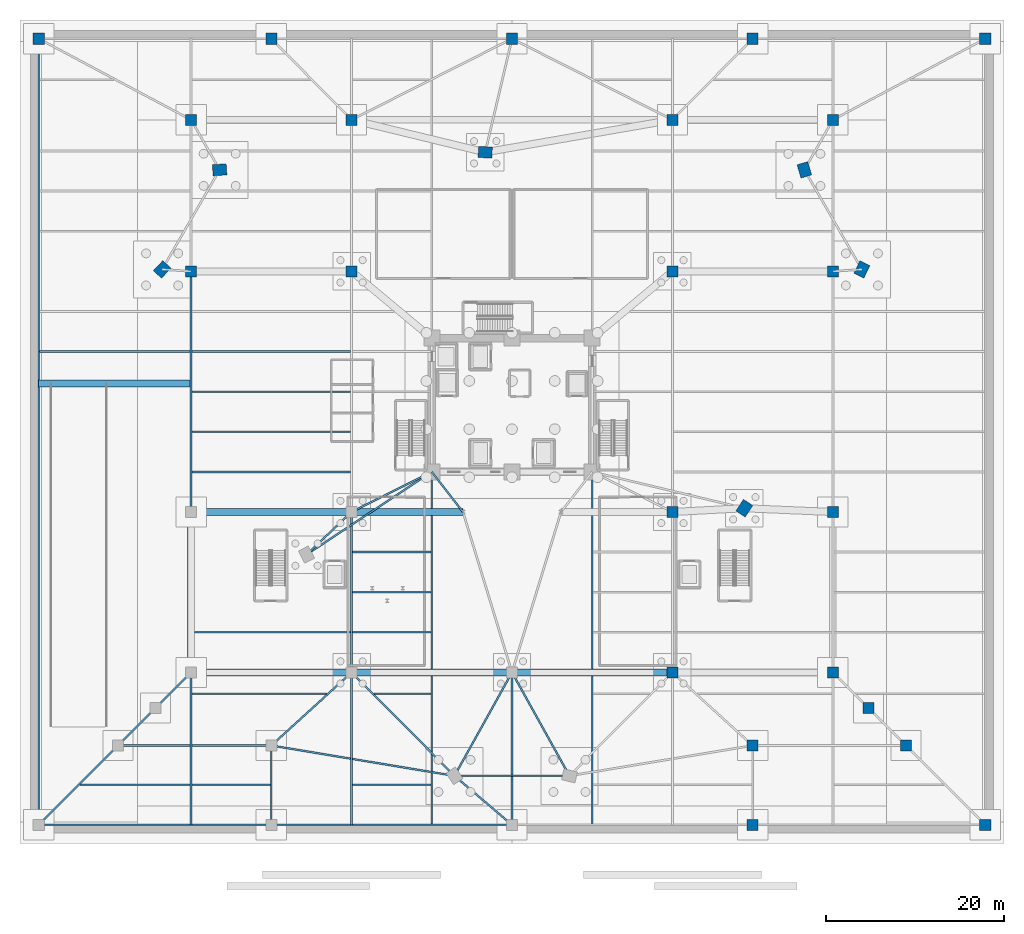
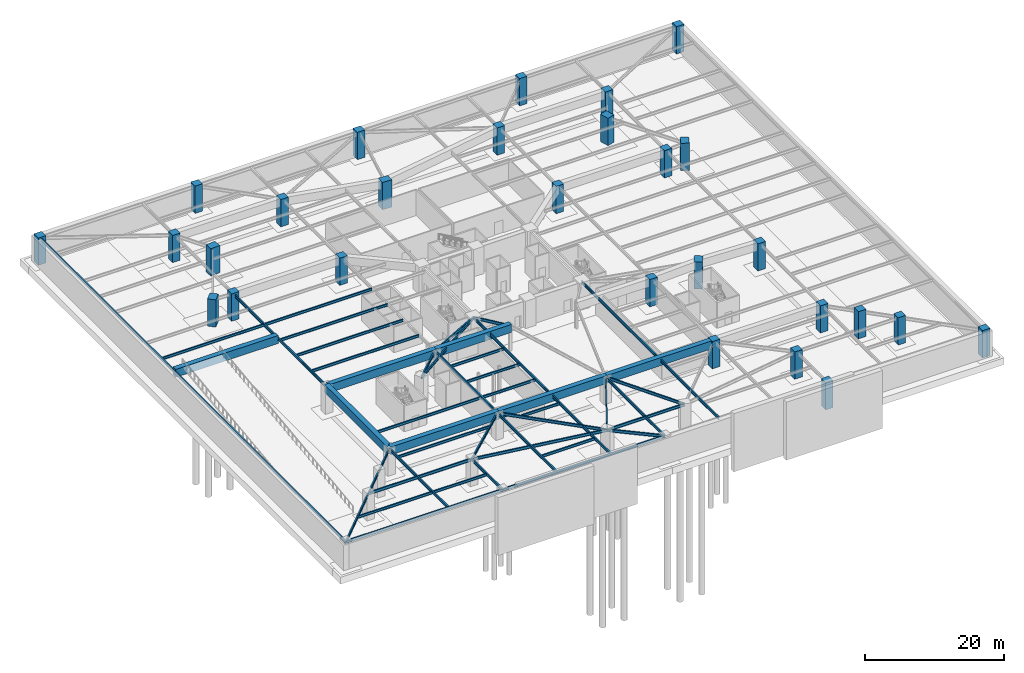
# One storey, part 4 of 19: 47 beams, 28 columns.
"""IFC4 building model written with IfcOpenShell, lengths in metres."""

from ifc_helpers import new_model, si_unit, direction, frame, origin, origin_2d, place, context, subcontext, project, spatial, rectangle, i_section, extrude, source, transform, mapped, material, material_profile, profile_set, type_object, element, save


model = new_model("IFC4")

# Units and contexts
model_context = context("Model", 3, precision=1e-05, world=origin(), true_north=direction((0.0, 1.0)))
body_context = subcontext(model_context, "Body", "Model", "MODEL_VIEW")
ifc_project = project(units=[si_unit("LENGTHUNIT", "METRE"), si_unit("AREAUNIT", "SQUARE_METRE"), si_unit("VOLUMEUNIT", "CUBIC_METRE"), si_unit("PLANEANGLEUNIT", "RADIAN"), si_unit("MASSUNIT", "GRAM", prefix="KILO")], contexts=[model_context])

# Site, building, storey
site_placement = place(None, origin())
site = spatial("IfcSite", under=ifc_project, at=site_placement, CompositionType="ELEMENT")
building_placement = place(site_placement, origin())
building = spatial("IfcBuilding", under=site, at=building_placement, Name="Liaohun Quay Tower", CompositionType="ELEMENT")
storey_placement = place(building_placement, frame((0.0, 0.0, -9.60009765625)))
storey = spatial("IfcBuildingStorey", under=building, at=storey_placement, Name="B2", CompositionType="ELEMENT", Elevation=-9.60009765625)

# Columns
ifc_material_1 = material(Name="Concrete C60", Category="concrete")
ifc_material_profile_1 = material_profile(ifc_material_1, rectangle(XDim=1.550048828125, YDim=1.25, at=origin_2d()), Name="RC1550x1250")
ifc_profile_set_1 = profile_set([ifc_material_profile_1], Name="Concrete C60")
column_type_1 = type_object("IfcColumnType", Name="COL-PIER-Z1", PredefinedType="COLUMN", material=ifc_profile_set_1)
shared_shape_1 = source(origin(), body_context, "Body", "SweptSolid", [
    extrude(rectangle(XDim=1.550048828125, YDim=1.25, at=origin_2d()), origin(), (0.0, 0.0, 1.0), 4.800048828125),
])
for number, where, z_axis, x_axis, name in (
    (1, (20.748046875, 69.217041015625, 0.0), (0.0, 0.0, 1.0), (0.68936671806, 0.724412539946, 0.0), "B2 Tower Mega-Pier PC03"),
    (2, (27.198974609375, 80.39111328125, 0.0), (0.0, 0.0, 1.0), (0.997824541457, 0.065925597951, 0.0), "B2 Tower Mega-Pier PC05"),
    (3, (92.802978515625, 80.384033203125, 0.0), (0.0, 0.0, 1.0), (-0.282676303383, 0.959215360337, 0.0), "B2 Tower Mega-Pier PC07"),
    (4, (99.256103515625, 69.2119140625, 0.0), (0.0, 0.0, 1.0), (0.441819028143, 0.897104200397, 0.0), "B2 Tower Mega-Pier PC09"),
    (5, (56.9951171875, 82.360107421875, 0.0), (0.0, 0.0, 1.0), (-0.998479491627, 0.055124448298, 0.0), "B2 Tower Mega-Pier PC06"),
    (6, (86.06396484375, 42.423095703125, 0.0), (0.0, 0.0, 1.0), (0.546978918409, 0.837146380758, 0.0), "B2 Tower Mega-Pier PC10"),
):
    element("IfcColumn", number, at=place(storey_placement, frame(where, z_axis=z_axis, x_axis=x_axis)), inside=storey, type_object=column_type_1, Name=name, PredefinedType="COLUMN", context=body_context, shape_type="MappedRepresentation", body=[
        mapped(shared_shape_1, transform((0.0, 0.0, 0.0), x_axis=(1.0, 0.0, 0.0), y_axis=(0.0, 1.0, 0.0), z_axis=(0.0, 0.0, 1.0), scale=1.0)),
    ])
ifc_material_profile_2 = material_profile(ifc_material_1, rectangle(XDim=1.25, YDim=1.25, at=origin_2d()), Name="RC1250x1250")
ifc_profile_set_2 = profile_set([ifc_material_profile_2], Name="Concrete C60")
column_type_2 = type_object("IfcColumnType", Name="COL-POD-B", PredefinedType="COLUMN", material=ifc_profile_set_2)
shared_shape_2 = source(origin(), body_context, "Body", "SweptSolid", [
    extrude(rectangle(XDim=1.25, YDim=1.25, at=origin_2d()), origin(), (0.0, 0.0, 1.0), 4.800048828125),
])
for number, where, z_axis, x_axis, name in (
    (7, (78.0, 24.0, 0.0), (0.0, 0.0, 1.0), (1.0, 0.0, 0.0), "B2 Podium Column PG04"),
    (8, (96.0, 24.0, 0.0), (0.0, 0.0, 1.0), (1.0, 0.0, 0.0), "B2 Podium Column PG05"),
    (9, (78.0, 42.0, 0.0), (0.0, 0.0, 1.0), (1.0, 0.0, 0.0), "B2 Podium Column PG08"),
    (10, (96.0, 42.0, 0.0), (0.0, 0.0, 1.0), (1.0, 0.0, 0.0), "B2 Podium Column PG09"),
    (11, (24.0, 69.0, 0.0), (0.0, 0.0, 1.0), (1.0, 0.0, 0.0), "B2 Podium Column PG10"),
    (12, (42.0, 69.0, 0.0), (0.0, 0.0, 1.0), (1.0, 0.0, 0.0), "B2 Podium Column PG11"),
    (13, (78.0, 69.0, 0.0), (0.0, 0.0, 1.0), (1.0, 0.0, 0.0), "B2 Podium Column PG12"),
    (14, (96.0, 69.0, 0.0), (0.0, 0.0, 1.0), (1.0, 0.0, 0.0), "B2 Podium Column PG13"),
    (15, (24.0, 86.0, 0.0), (0.0, 0.0, 1.0), (1.0, 0.0, 0.0), "B2 Podium Column PG14"),
    (16, (42.0, 86.0, 0.0), (0.0, 0.0, 1.0), (1.0, 0.0, 0.0), "B2 Podium Column PG15"),
    (17, (78.0, 86.0, 0.0), (0.0, 0.0, 1.0), (1.0, 0.0, 0.0), "B2 Podium Column PG17"),
    (18, (96.0, 86.0, 0.0), (0.0, 0.0, 1.0), (1.0, 0.0, 0.0), "B2 Podium Column PG18"),
    (19, (87.0, 15.800048828125, 0.0), (0.0, 0.0, 1.0), (1.0, 0.0, 0.0), "B2 Podium Column PT03"),
    (20, (104.199951171875, 15.800048828125, 0.0), (0.0, 0.0, 1.0), (1.0, 0.0, 0.0), "B2 Podium Column PT04"),
    (21, (100.0, 20.0, 0.0), (0.0, 0.0, 1.0), (1.0, 0.0, 0.0), "B2 Podium Column PT06"),
    (22, (87.0, 6.89990234375, 0.0), (0.0, 0.0, 1.0), (1.0, 0.0, 0.0), "B2 Podium Column BP04"),
    (23, (113.10009765625, 6.89990234375, 0.0), (0.0, 0.0, 1.0), (1.0, 0.0, 0.0), "B2 Podium Column BP05"),
    (24, (6.89990234375, 95.10009765625, 0.0), (0.0, 0.0, 1.0), (1.0, 0.0, 0.0), "B2 Podium Column BP06"),
    (25, (33.0, 95.10009765625, 0.0), (0.0, 0.0, 1.0), (1.0, 0.0, 0.0), "B2 Podium Column BP07"),
    (26, (60.0, 95.10009765625, 0.0), (0.0, 0.0, 1.0), (1.0, 0.0, 0.0), "B2 Podium Column BP08"),
    (27, (87.0, 95.10009765625, 0.0), (0.0, 0.0, 1.0), (1.0, 0.0, 0.0), "B2 Podium Column BP09"),
    (28, (113.10009765625, 95.10009765625, 0.0), (0.0, 0.0, 1.0), (1.0, 0.0, 0.0), "B2 Podium Column BP10"),
):
    element("IfcColumn", number, at=place(storey_placement, frame(where, z_axis=z_axis, x_axis=x_axis)), inside=storey, type_object=column_type_2, Name=name, PredefinedType="COLUMN", context=body_context, shape_type="MappedRepresentation", body=[
        mapped(shared_shape_2, transform((0.0, 0.0, 0.0), x_axis=(1.0, 0.0, 0.0), y_axis=(0.0, 1.0, 0.0), z_axis=(0.0, 0.0, 1.0), scale=1.0)),
    ])

# Beams
ifc_material_2 = material(Name="Concrete C50", Category="concrete")
ifc_material_profile_3 = material_profile(ifc_material_2, rectangle(XDim=0.800048828125, YDim=1.39990234375, at=origin_2d()), Name="RC800x1400")
ifc_profile_set_3 = profile_set([ifc_material_profile_3], Name="Concrete C50")
beam_type_1 = type_object("IfcBeamType", Name="BM-GRD-1", PredefinedType="BEAM", material=ifc_profile_set_3)
shared_shape_3 = source(origin(), body_context, "Body", "SweptSolid", [
    extrude(rectangle(XDim=0.800048828125, YDim=1.39990234375, at=origin_2d()), origin(), (0.0, 0.0, 1.0), 18.0),
])
for number, where, z_axis, x_axis, name in (
    (29, (24.0, 24.0, 4.10009765625), (1.0, 0.0, 0.0), (0.0, 1.0, 0.0), "B2 Primary Grid Girder PG01-PG02"),
    (30, (42.0, 24.0, 4.10009765625), (1.0, 0.0, 0.0), (0.0, 1.0, 0.0), "B2 Primary Grid Girder PG02-PG03"),
    (31, (60.0, 24.0, 4.10009765625), (1.0, 0.0, 0.0), (0.0, 1.0, 0.0), "B2 Primary Grid Girder PG03-PG04"),
    (32, (24.0, 42.0, 4.10009765625), (1.0, 0.0, 0.0), (0.0, 1.0, 0.0), "B2 Primary Grid Girder PG06-PG07"),
    (33, (24.0, 24.0, 4.10009765625), (0.0, 1.0, 0.0), (-1.0, 0.0, 0.0), "B2 Primary Grid Girder PG01-PG06"),
):
    element("IfcBeam", number, at=place(storey_placement, frame(where, z_axis=z_axis, x_axis=x_axis)), inside=storey, type_object=beam_type_1, Name=name, PredefinedType="BEAM", context=body_context, shape_type="MappedRepresentation", body=[
        mapped(shared_shape_3, transform((0.0, 0.0, 0.0), x_axis=(1.0, 0.0, 0.0), y_axis=(0.0, 1.0, 0.0), z_axis=(0.0, 0.0, 1.0), scale=1.0)),
    ])
shared_shape_4 = source(origin(), body_context, "Body", "SweptSolid", [
    extrude(rectangle(XDim=0.800048828125, YDim=1.39990234375, at=origin_2d()), origin(), (0.0, 0.0, 1.0), 12.5),
])
beam_1_placement = place(storey_placement, frame((42.0, 42.0, 4.10009765625), z_axis=(1.0, 0.0, 0.0), x_axis=(0.0, 1.0, 0.0)))
element("IfcBeam", 34, at=beam_1_placement, inside=storey, type_object=beam_type_1, Name="B2 Primary Grid Girder PG07-AT1", PredefinedType="BEAM", context=body_context, shape_type="MappedRepresentation", body=[
    mapped(shared_shape_4, transform((0.0, 0.0, 0.0), x_axis=(1.0, 0.0, 0.0), y_axis=(0.0, 1.0, 0.0), z_axis=(0.0, 0.0, 1.0), scale=1.0)),
])
ifc_material_3 = material(Name="Steel Q355D", Category="steel")
ifc_material_profile_4 = material_profile(ifc_material_3, i_section(OverallWidth=0.199951171875, OverallDepth=0.5, WebThickness=0.010009765625, FlangeThickness=0.01611328125, at=origin_2d()), Name="HN500x200x10x16")
ifc_profile_set_4 = profile_set([ifc_material_profile_4], Name="Steel Q355D")
beam_type_2 = type_object("IfcBeamType", Name="BM-POD-G3", PredefinedType="BEAM", material=ifc_profile_set_4)
shared_shape_5 = source(origin(), body_context, "Body", "SweptSolid", [
    extrude(i_section(OverallWidth=0.199951171875, OverallDepth=0.5, WebThickness=0.010009765625, FlangeThickness=0.01611328125, at=origin_2d()), origin(), (0.0, 0.0, 1.0), 27.0),
])
for number, where, z_axis, x_axis, name in (
    (35, (24.0, 42.0, 4.25), (0.0, 1.0, 0.0), (-1.0, 0.0, 0.0), "B2 Primary Grid Girder PG06-PG10"),
    (36, (33.0, 6.89990234375, 4.25), (1.0, 0.0, 0.0), (0.0, 1.0, 0.0), "B2 Perimeter Tie Girder BP02-BP03"),
):
    element("IfcBeam", number, at=place(storey_placement, frame(where, z_axis=z_axis, x_axis=x_axis)), inside=storey, type_object=beam_type_2, Name=name, PredefinedType="BEAM", context=body_context, shape_type="MappedRepresentation", body=[
        mapped(shared_shape_5, transform((0.0, 0.0, 0.0), x_axis=(1.0, 0.0, 0.0), y_axis=(0.0, 1.0, 0.0), z_axis=(0.0, 0.0, 1.0), scale=1.0)),
    ])
shared_shape_6 = source(origin(), body_context, "Body", "SweptSolid", [
    extrude(i_section(OverallWidth=0.199951171875, OverallDepth=0.5, WebThickness=0.010009765625, FlangeThickness=0.01611328125, at=origin_2d()), origin(), (0.0, 0.0, 1.0), 18.0),
])
beam_2_placement = place(storey_placement, frame((42.0, 24.0, 4.25), z_axis=(0.0, 1.0, 0.0), x_axis=(-1.0, 0.0, 0.0)))
element("IfcBeam", 37, at=beam_2_placement, inside=storey, type_object=beam_type_2, Name="B2 Primary Grid Girder PG02-PG07", PredefinedType="BEAM", context=body_context, shape_type="MappedRepresentation", body=[
    mapped(shared_shape_6, transform((0.0, 0.0, 0.0), x_axis=(1.0, 0.0, 0.0), y_axis=(0.0, 1.0, 0.0), z_axis=(0.0, 0.0, 1.0), scale=1.0)),
])
shared_shape_7 = source(origin(), body_context, "Body", "SweptSolid", [
    extrude(i_section(OverallWidth=0.199951171875, OverallDepth=0.5, WebThickness=0.010009765625, FlangeThickness=0.01611328125, at=origin_2d()), origin(), (0.0, 0.0, 1.0), 10.062255859375),
])
beam_3_placement = place(storey_placement, frame((42.0, 42.0, 4.25), z_axis=(0.894427191, 0.4472135955, 0.0), x_axis=(-0.4472135955, 0.894427191, 0.0)))
element("IfcBeam", 38, at=beam_3_placement, inside=storey, type_object=beam_type_2, Name="B2 Primary Grid Girder PG07-CC1", PredefinedType="BEAM", context=body_context, shape_type="MappedRepresentation", body=[
    mapped(shared_shape_7, transform((0.0, 0.0, 0.0), x_axis=(1.0, 0.0, 0.0), y_axis=(0.0, 1.0, 0.0), z_axis=(0.0, 0.0, 1.0), scale=1.0)),
])
shared_shape_8 = source(origin(), body_context, "Body", "SweptSolid", [
    extrude(i_section(OverallWidth=0.199951171875, OverallDepth=0.5, WebThickness=0.010009765625, FlangeThickness=0.01611328125, at=origin_2d()), origin(), (0.0, 0.0, 1.0), 5.700927734375),
])
beam_4_placement = place(storey_placement, frame((54.5, 42.0, 4.25), z_axis=(-0.613940613515, 0.789352217376, 0.0), x_axis=(-0.789352217376, -0.613940613515, 0.0)))
element("IfcBeam", 39, at=beam_4_placement, inside=storey, type_object=beam_type_2, Name="B2 Primary Grid Girder AT1-CC1", PredefinedType="BEAM", context=body_context, shape_type="MappedRepresentation", body=[
    mapped(shared_shape_8, transform((0.0, 0.0, 0.0), x_axis=(1.0, 0.0, 0.0), y_axis=(0.0, 1.0, 0.0), z_axis=(0.0, 0.0, 1.0), scale=1.0)),
])
shared_shape_9 = source(origin(), body_context, "Body", "SweptSolid", [
    extrude(i_section(OverallWidth=0.199951171875, OverallDepth=0.5, WebThickness=0.010009765625, FlangeThickness=0.01611328125, at=origin_2d()), origin(), (0.0, 0.0, 1.0), 16.368896484375),
])
beam_5_placement = place(storey_placement, frame((53.5458984375, 12.39697265625, 4.25), z_axis=(-0.705359574392, 0.708849681395, 0.0), x_axis=(-0.708849681395, -0.705359574392, 0.0)))
element("IfcBeam", 40, at=beam_5_placement, inside=storey, type_object=beam_type_2, Name="B2 Primary Grid Girder PC01-PG02", PredefinedType="BEAM", context=body_context, shape_type="MappedRepresentation", body=[
    mapped(shared_shape_9, transform((0.0, 0.0, 0.0), x_axis=(1.0, 0.0, 0.0), y_axis=(0.0, 1.0, 0.0), z_axis=(0.0, 0.0, 1.0), scale=1.0)),
])
shared_shape_10 = source(origin(), body_context, "Body", "SweptSolid", [
    extrude(i_section(OverallWidth=0.199951171875, OverallDepth=0.5, WebThickness=0.010009765625, FlangeThickness=0.01611328125, at=origin_2d()), origin(), (0.0, 0.0, 1.0), 13.27734375),
])
beam_6_placement = place(storey_placement, frame((53.5458984375, 12.39697265625, 4.25), z_axis=(0.486101867227, 0.87390215395, 0.0), x_axis=(-0.87390215395, 0.486101867227, 0.0)))
element("IfcBeam", 41, at=beam_6_placement, inside=storey, type_object=beam_type_2, Name="B2 Primary Grid Girder PC01-PG03", PredefinedType="BEAM", context=body_context, shape_type="MappedRepresentation", body=[
    mapped(shared_shape_10, transform((0.0, 0.0, 0.0), x_axis=(1.0, 0.0, 0.0), y_axis=(0.0, 1.0, 0.0), z_axis=(0.0, 0.0, 1.0), scale=1.0)),
])
shared_shape_11 = source(origin(), body_context, "Body", "SweptSolid", [
    extrude(i_section(OverallWidth=0.199951171875, OverallDepth=0.5, WebThickness=0.010009765625, FlangeThickness=0.01611328125, at=origin_2d()), origin(), (0.0, 0.0, 1.0), 13.272705078125),
])
beam_7_placement = place(storey_placement, frame((66.447998046875, 12.39892578125, 4.25), z_axis=(-0.485813156466, 0.874062684826, 0.0), x_axis=(-0.874062684826, -0.485813156466, 0.0)))
element("IfcBeam", 42, at=beam_7_placement, inside=storey, type_object=beam_type_2, Name="B2 Primary Grid Girder PC11-PG03", PredefinedType="BEAM", context=body_context, shape_type="MappedRepresentation", body=[
    mapped(shared_shape_11, transform((0.0, 0.0, 0.0), x_axis=(1.0, 0.0, 0.0), y_axis=(0.0, 1.0, 0.0), z_axis=(0.0, 0.0, 1.0), scale=1.0)),
])
shared_shape_12 = source(origin(), body_context, "Body", "SweptSolid", [
    extrude(i_section(OverallWidth=0.199951171875, OverallDepth=0.5, WebThickness=0.010009765625, FlangeThickness=0.01611328125, at=origin_2d()), origin(), (0.0, 0.0, 1.0), 12.902099609375),
])
beam_8_placement = place(storey_placement, frame((53.5458984375, 12.39697265625, 4.25), z_axis=(0.999999988542, 0.000151380398, 0.0), x_axis=(-0.000151380398, 0.999999988542, 0.0)))
element("IfcBeam", 43, at=beam_8_placement, inside=storey, type_object=beam_type_2, Name="B2 Primary Grid Girder PC01-PC11", PredefinedType="BEAM", context=body_context, shape_type="MappedRepresentation", body=[
    mapped(shared_shape_12, transform((0.0, 0.0, 0.0), x_axis=(1.0, 0.0, 0.0), y_axis=(0.0, 1.0, 0.0), z_axis=(0.0, 0.0, 1.0), scale=1.0)),
])
shared_shape_13 = source(origin(), body_context, "Body", "SweptSolid", [
    extrude(i_section(OverallWidth=0.199951171875, OverallDepth=0.5, WebThickness=0.010009765625, FlangeThickness=0.01611328125, at=origin_2d()), origin(), (0.0, 0.0, 1.0), 6.962158203125),
])
beam_9_placement = place(storey_placement, frame((36.94091796875, 37.217041015625, 4.25), z_axis=(0.726659067673, 0.686998252813, 0.0), x_axis=(-0.686998252813, 0.726659067673, 0.0)))
element("IfcBeam", 44, at=beam_9_placement, inside=storey, type_object=beam_type_2, Name="B2 Primary Grid Girder PC02-PG07", PredefinedType="BEAM", context=body_context, shape_type="MappedRepresentation", body=[
    mapped(shared_shape_13, transform((0.0, 0.0, 0.0), x_axis=(1.0, 0.0, 0.0), y_axis=(0.0, 1.0, 0.0), z_axis=(0.0, 0.0, 1.0), scale=1.0)),
])
shared_shape_14 = source(origin(), body_context, "Body", "SweptSolid", [
    extrude(i_section(OverallWidth=0.199951171875, OverallDepth=0.5, WebThickness=0.010009765625, FlangeThickness=0.01611328125, at=origin_2d()), origin(), (0.0, 0.0, 1.0), 16.84716796875),
])
beam_10_placement = place(storey_placement, frame((36.94091796875, 37.217041015625, 4.25), z_axis=(0.834501195619, 0.551006129285, 0.0), x_axis=(-0.551006129285, 0.834501195619, 0.0)))
element("IfcBeam", 45, at=beam_10_placement, inside=storey, type_object=beam_type_2, Name="B2 Primary Grid Girder PC02-CC1", PredefinedType="BEAM", context=body_context, shape_type="MappedRepresentation", body=[
    mapped(shared_shape_14, transform((0.0, 0.0, 0.0), x_axis=(1.0, 0.0, 0.0), y_axis=(0.0, 1.0, 0.0), z_axis=(0.0, 0.0, 1.0), scale=1.0)),
])
shared_shape_15 = source(origin(), body_context, "Body", "SweptSolid", [
    extrude(i_section(OverallWidth=0.199951171875, OverallDepth=0.5, WebThickness=0.010009765625, FlangeThickness=0.01611328125, at=origin_2d()), origin(), (0.0, 0.0, 1.0), 17.199951171875),
])
beam_11_placement = place(storey_placement, frame((15.800048828125, 15.800048828125, 4.25), z_axis=(1.0, 0.0, 0.0), x_axis=(0.0, 1.0, 0.0)))
element("IfcBeam", 46, at=beam_11_placement, inside=storey, type_object=beam_type_2, Name="B2 Perimeter Tie Girder PT01-PT02", PredefinedType="BEAM", context=body_context, shape_type="MappedRepresentation", body=[
    mapped(shared_shape_15, transform((0.0, 0.0, 0.0), x_axis=(1.0, 0.0, 0.0), y_axis=(0.0, 1.0, 0.0), z_axis=(0.0, 0.0, 1.0), scale=1.0)),
])
shared_shape_16 = source(origin(), body_context, "Body", "SweptSolid", [
    extrude(i_section(OverallWidth=0.199951171875, OverallDepth=0.5, WebThickness=0.010009765625, FlangeThickness=0.01611328125, at=origin_2d()), origin(), (0.0, 0.0, 1.0), 20.825927734375),
])
beam_12_placement = place(storey_placement, frame((33.0, 15.800048828125, 4.25), z_axis=(0.986558813697, -0.163406569991, 0.0), x_axis=(0.163406569991, 0.986558813697, 0.0)))
element("IfcBeam", 47, at=beam_12_placement, inside=storey, type_object=beam_type_2, Name="B2 Perimeter Tie Girder PT02-PC01", PredefinedType="BEAM", context=body_context, shape_type="MappedRepresentation", body=[
    mapped(shared_shape_16, transform((0.0, 0.0, 0.0), x_axis=(1.0, 0.0, 0.0), y_axis=(0.0, 1.0, 0.0), z_axis=(0.0, 0.0, 1.0), scale=1.0)),
])
shared_shape_17 = source(origin(), body_context, "Body", "SweptSolid", [
    extrude(i_section(OverallWidth=0.199951171875, OverallDepth=0.5, WebThickness=0.010009765625, FlangeThickness=0.01611328125, at=origin_2d()), origin(), (0.0, 0.0, 1.0), 5.939697265625),
])
beam_13_placement = place(storey_placement, frame((15.800048828125, 15.800048828125, 4.25), z_axis=(0.707106781187, 0.707106781187, 0.0), x_axis=(-0.707106781187, 0.707106781187, 0.0)))
element("IfcBeam", 48, at=beam_13_placement, inside=storey, type_object=beam_type_2, Name="B2 Perimeter Tie Girder PT01-PT05", PredefinedType="BEAM", context=body_context, shape_type="MappedRepresentation", body=[
    mapped(shared_shape_17, transform((0.0, 0.0, 0.0), x_axis=(1.0, 0.0, 0.0), y_axis=(0.0, 1.0, 0.0), z_axis=(0.0, 0.0, 1.0), scale=1.0)),
])
shared_shape_18 = source(origin(), body_context, "Body", "SweptSolid", [
    extrude(i_section(OverallWidth=0.199951171875, OverallDepth=0.5, WebThickness=0.010009765625, FlangeThickness=0.01611328125, at=origin_2d()), origin(), (0.0, 0.0, 1.0), 12.17529296875),
])
beam_14_placement = place(storey_placement, frame((33.0, 15.800048828125, 4.25), z_axis=(0.739198333818, 0.673487804849, 0.0), x_axis=(-0.673487804849, 0.739198333818, 0.0)))
element("IfcBeam", 49, at=beam_14_placement, inside=storey, type_object=beam_type_2, Name="B2 Perimeter Tie Girder PT02-PG02", PredefinedType="BEAM", context=body_context, shape_type="MappedRepresentation", body=[
    mapped(shared_shape_18, transform((0.0, 0.0, 0.0), x_axis=(1.0, 0.0, 0.0), y_axis=(0.0, 1.0, 0.0), z_axis=(0.0, 0.0, 1.0), scale=1.0)),
])
shared_shape_19 = source(origin(), body_context, "Body", "SweptSolid", [
    extrude(i_section(OverallWidth=0.199951171875, OverallDepth=0.5, WebThickness=0.010009765625, FlangeThickness=0.01611328125, at=origin_2d()), origin(), (0.0, 0.0, 1.0), 5.65673828125),
])
beam_15_placement = place(storey_placement, frame((20.0, 20.0, 4.25), z_axis=(0.707106781187, 0.707106781187, 0.0), x_axis=(-0.707106781187, 0.707106781187, 0.0)))
element("IfcBeam", 50, at=beam_15_placement, inside=storey, type_object=beam_type_2, Name="B2 Perimeter Tie Girder PT05-PG01", PredefinedType="BEAM", context=body_context, shape_type="MappedRepresentation", body=[
    mapped(shared_shape_19, transform((0.0, 0.0, 0.0), x_axis=(1.0, 0.0, 0.0), y_axis=(0.0, 1.0, 0.0), z_axis=(0.0, 0.0, 1.0), scale=1.0)),
])
shared_shape_20 = source(origin(), body_context, "Body", "SweptSolid", [
    extrude(i_section(OverallWidth=0.199951171875, OverallDepth=0.5, WebThickness=0.010009765625, FlangeThickness=0.01611328125, at=origin_2d()), origin(), (0.0, 0.0, 1.0), 26.10009765625),
])
beam_16_placement = place(storey_placement, frame((6.89990234375, 6.89990234375, 4.25), z_axis=(1.0, 0.0, 0.0), x_axis=(0.0, 1.0, 0.0)))
element("IfcBeam", 51, at=beam_16_placement, inside=storey, type_object=beam_type_2, Name="B2 Perimeter Tie Girder BP01-BP02", PredefinedType="BEAM", context=body_context, shape_type="MappedRepresentation", body=[
    mapped(shared_shape_20, transform((0.0, 0.0, 0.0), x_axis=(1.0, 0.0, 0.0), y_axis=(0.0, 1.0, 0.0), z_axis=(0.0, 0.0, 1.0), scale=1.0)),
])
shared_shape_21 = source(origin(), body_context, "Body", "SweptSolid", [
    extrude(i_section(OverallWidth=0.199951171875, OverallDepth=0.5, WebThickness=0.010009765625, FlangeThickness=0.01611328125, at=origin_2d()), origin(), (0.0, 0.0, 1.0), 88.2001953125),
])
beam_17_placement = place(storey_placement, frame((6.89990234375, 6.89990234375, 4.25), z_axis=(0.0, 1.0, 0.0), x_axis=(-1.0, 0.0, 0.0)))
element("IfcBeam", 52, at=beam_17_placement, inside=storey, type_object=beam_type_2, Name="B2 Perimeter Tie Girder BP01-BP06", PredefinedType="BEAM", context=body_context, shape_type="MappedRepresentation", body=[
    mapped(shared_shape_21, transform((0.0, 0.0, 0.0), x_axis=(1.0, 0.0, 0.0), y_axis=(0.0, 1.0, 0.0), z_axis=(0.0, 0.0, 1.0), scale=1.0)),
])
shared_shape_22 = source(origin(), body_context, "Body", "SweptSolid", [
    extrude(i_section(OverallWidth=0.199951171875, OverallDepth=0.5, WebThickness=0.010009765625, FlangeThickness=0.01611328125, at=origin_2d()), origin(), (0.0, 0.0, 1.0), 12.586669921875),
])
beam_18_placement = place(storey_placement, frame((6.89990234375, 6.89990234375, 4.25), z_axis=(0.707106781187, 0.707106781187, 0.0), x_axis=(-0.707106781187, 0.707106781187, 0.0)))
element("IfcBeam", 53, at=beam_18_placement, inside=storey, type_object=beam_type_2, Name="B2 Perimeter Tie Girder BP01-PT01", PredefinedType="BEAM", context=body_context, shape_type="MappedRepresentation", body=[
    mapped(shared_shape_22, transform((0.0, 0.0, 0.0), x_axis=(1.0, 0.0, 0.0), y_axis=(0.0, 1.0, 0.0), z_axis=(0.0, 0.0, 1.0), scale=1.0)),
])
shared_shape_23 = source(origin(), body_context, "Body", "SweptSolid", [
    extrude(i_section(OverallWidth=0.199951171875, OverallDepth=0.5, WebThickness=0.010009765625, FlangeThickness=0.01611328125, at=origin_2d()), origin(), (0.0, 0.0, 1.0), 8.900146484375),
])
beam_19_placement = place(storey_placement, frame((33.0, 6.89990234375, 4.25), z_axis=(0.0, 1.0, 0.0), x_axis=(-1.0, 0.0, 0.0)))
element("IfcBeam", 54, at=beam_19_placement, inside=storey, type_object=beam_type_2, Name="B2 Perimeter Tie Girder BP02-PT02", PredefinedType="BEAM", context=body_context, shape_type="MappedRepresentation", body=[
    mapped(shared_shape_23, transform((0.0, 0.0, 0.0), x_axis=(1.0, 0.0, 0.0), y_axis=(0.0, 1.0, 0.0), z_axis=(0.0, 0.0, 1.0), scale=1.0)),
])
shared_shape_24 = source(origin(), body_context, "Body", "SweptSolid", [
    extrude(i_section(OverallWidth=0.199951171875, OverallDepth=0.5, WebThickness=0.010009765625, FlangeThickness=0.01611328125, at=origin_2d()), origin(), (0.0, 0.0, 1.0), 8.477783203125),
])
beam_20_placement = place(storey_placement, frame((60.0, 6.89990234375, 4.25), z_axis=(-0.761293772797, 0.648407118638, 0.0), x_axis=(-0.648407118638, -0.761293772797, 0.0)))
element("IfcBeam", 55, at=beam_20_placement, inside=storey, type_object=beam_type_2, Name="B2 Perimeter Tie Girder BP03-PC01", PredefinedType="BEAM", context=body_context, shape_type="MappedRepresentation", body=[
    mapped(shared_shape_24, transform((0.0, 0.0, 0.0), x_axis=(1.0, 0.0, 0.0), y_axis=(0.0, 1.0, 0.0), z_axis=(0.0, 0.0, 1.0), scale=1.0)),
])
shared_shape_25 = source(origin(), body_context, "Body", "SweptSolid", [
    extrude(i_section(OverallWidth=0.199951171875, OverallDepth=0.5, WebThickness=0.010009765625, FlangeThickness=0.01611328125, at=origin_2d()), origin(), (0.0, 0.0, 1.0), 17.10009765625),
])
for number, where, z_axis, x_axis, name in (
    (56, (60.0, 6.89990234375, 4.25), (0.0, 1.0, 0.0), (-1.0, 0.0, 0.0), "B2 Perimeter Tie Girder BP03-PG03"),
    (57, (24.0, 6.89990234375, 4.25), (0.0, 1.0, 0.0), (-1.0, 0.0, 0.0), "B2 South Apron Spine Girder X24"),
    (58, (42.0, 6.89990234375, 4.25), (0.0, 1.0, 0.0), (-1.0, 0.0, 0.0), "B2 South Apron Spine Girder X42"),
):
    element("IfcBeam", number, at=place(storey_placement, frame(where, z_axis=z_axis, x_axis=x_axis)), inside=storey, type_object=beam_type_2, Name=name, PredefinedType="BEAM", context=body_context, shape_type="MappedRepresentation", body=[
        mapped(shared_shape_25, transform((0.0, 0.0, 0.0), x_axis=(1.0, 0.0, 0.0), y_axis=(0.0, 1.0, 0.0), z_axis=(0.0, 0.0, 1.0), scale=1.0)),
    ])
shared_shape_26 = source(origin(), body_context, "Body", "SweptSolid", [
    extrude(i_section(OverallWidth=0.199951171875, OverallDepth=0.5, WebThickness=0.010009765625, FlangeThickness=0.01611328125, at=origin_2d()), origin(), (0.0, 0.0, 1.0), 39.60009765625),
])
for number, where, z_axis, x_axis, name in (
    (59, (51.0, 6.89990234375, 4.25), (0.0, 1.0, 0.0), (-1.0, 0.0, 0.0), "B2 Spine Girder X51-S"),
    (60, (69.0, 6.89990234375, 4.25), (0.0, 1.0, 0.0), (-1.0, 0.0, 0.0), "B2 Spine Girder X69-S"),
):
    element("IfcBeam", number, at=place(storey_placement, frame(where, z_axis=z_axis, x_axis=x_axis)), inside=storey, type_object=beam_type_2, Name=name, PredefinedType="BEAM", context=body_context, shape_type="MappedRepresentation", body=[
        mapped(shared_shape_26, transform((0.0, 0.0, 0.0), x_axis=(1.0, 0.0, 0.0), y_axis=(0.0, 1.0, 0.0), z_axis=(0.0, 0.0, 1.0), scale=1.0)),
    ])
shared_shape_27 = source(origin(), body_context, "Body", "SweptSolid", [
    extrude(rectangle(XDim=0.800048828125, YDim=1.39990234375, at=origin_2d()), origin(), (0.0, 0.0, 1.0), 17.10009765625),
])
beam_21_placement = place(storey_placement, frame((6.89990234375, 56.39990234375, 4.10009765625), z_axis=(1.0, 0.0, 0.0), x_axis=(0.0, 1.0, 0.0)))
element("IfcBeam", 61, at=beam_21_placement, inside=storey, type_object=beam_type_1, Name="B2 Vehicle Ramp Arrival Header", PredefinedType="BEAM", context=body_context, shape_type="MappedRepresentation", body=[
    mapped(shared_shape_27, transform((0.0, 0.0, 0.0), x_axis=(1.0, 0.0, 0.0), y_axis=(0.0, 1.0, 0.0), z_axis=(0.0, 0.0, 1.0), scale=1.0)),
])
ifc_material_profile_5 = material_profile(ifc_material_3, i_section(OverallWidth=0.199951171875, OverallDepth=0.449951171875, WebThickness=0.009033203125, FlangeThickness=0.013916015625, at=origin_2d()), Name="HN450x200x9x14")
ifc_profile_set_5 = profile_set([ifc_material_profile_5], Name="Steel Q355D")
beam_type_3 = type_object("IfcBeamType", Name="BM-SEC-J1", PredefinedType="JOIST", material=ifc_profile_set_5)
shared_shape_28 = source(origin(), body_context, "Body", "SweptSolid", [
    extrude(i_section(OverallWidth=0.199951171875, OverallDepth=0.449951171875, WebThickness=0.009033203125, FlangeThickness=0.013916015625, at=origin_2d()), origin(), (0.0, 0.0, 1.0), 12.35888671875),
])
beam_22_placement = place(storey_placement, frame((11.541015625, 11.39990234375, 4.275146484375), z_axis=(1.0, 0.0, 0.0), x_axis=(0.0, 1.0, 0.0)))
element("IfcBeam", 62, at=beam_22_placement, inside=storey, type_object=beam_type_3, Name="B2 Composite Floor Joist SJ-01", PredefinedType="JOIST", context=body_context, shape_type="MappedRepresentation", body=[
    mapped(shared_shape_28, transform((0.0, 0.0, 0.0), x_axis=(1.0, 0.0, 0.0), y_axis=(0.0, 1.0, 0.0), z_axis=(0.0, 0.0, 1.0), scale=1.0)),
])
shared_shape_29 = source(origin(), body_context, "Body", "SweptSolid", [
    extrude(i_section(OverallWidth=0.199951171875, OverallDepth=0.449951171875, WebThickness=0.009033203125, FlangeThickness=0.013916015625, at=origin_2d()), origin(), (0.0, 0.0, 1.0), 16.89990234375),
])
beam_23_placement = place(storey_placement, frame((7.0, 60.0, 4.275146484375), z_axis=(1.0, 0.0, 0.0), x_axis=(0.0, 1.0, 0.0)))
element("IfcBeam", 63, at=beam_23_placement, inside=storey, type_object=beam_type_3, Name="B2 Composite Floor Joist SJ-08", PredefinedType="JOIST", context=body_context, shape_type="MappedRepresentation", body=[
    mapped(shared_shape_29, transform((0.0, 0.0, 0.0), x_axis=(1.0, 0.0, 0.0), y_axis=(0.0, 1.0, 0.0), z_axis=(0.0, 0.0, 1.0), scale=1.0)),
])
shared_shape_30 = source(origin(), body_context, "Body", "SweptSolid", [
    extrude(i_section(OverallWidth=0.199951171875, OverallDepth=0.449951171875, WebThickness=0.009033203125, FlangeThickness=0.013916015625, at=origin_2d()), origin(), (0.0, 0.0, 1.0), 8.7998046875),
])
for number, where, z_axis, x_axis, name in (
    (64, (24.10009765625, 11.39990234375, 4.275146484375), (1.0, 0.0, 0.0), (0.0, 1.0, 0.0), "B2 Composite Floor Joist SJ-14"),
    (65, (42.10009765625, 11.39990234375, 4.275146484375), (1.0, 0.0, 0.0), (0.0, 1.0, 0.0), "B2 Composite Floor Joist SJ-28"),
    (66, (42.10009765625, 28.5, 4.275146484375), (1.0, 0.0, 0.0), (0.0, 1.0, 0.0), "B2 Composite Floor Joist SJ-30"),
    (67, (42.10009765625, 33.0, 4.275146484375), (1.0, 0.0, 0.0), (0.0, 1.0, 0.0), "B2 Composite Floor Joist SJ-31"),
    (68, (42.10009765625, 37.5, 4.275146484375), (1.0, 0.0, 0.0), (0.0, 1.0, 0.0), "B2 Composite Floor Joist SJ-32"),
):
    element("IfcBeam", number, at=place(storey_placement, frame(where, z_axis=z_axis, x_axis=x_axis)), inside=storey, type_object=beam_type_3, Name=name, PredefinedType="JOIST", context=body_context, shape_type="MappedRepresentation", body=[
        mapped(shared_shape_30, transform((0.0, 0.0, 0.0), x_axis=(1.0, 0.0, 0.0), y_axis=(0.0, 1.0, 0.0), z_axis=(0.0, 0.0, 1.0), scale=1.0)),
    ])
shared_shape_31 = source(origin(), body_context, "Body", "SweptSolid", [
    extrude(i_section(OverallWidth=0.199951171875, OverallDepth=0.449951171875, WebThickness=0.009033203125, FlangeThickness=0.013916015625, at=origin_2d()), origin(), (0.0, 0.0, 1.0), 15.116943359375),
])
beam_24_placement = place(storey_placement, frame((24.10009765625, 21.60009765625, 4.275146484375), z_axis=(1.0, 0.0, 0.0), x_axis=(0.0, 1.0, 0.0)))
element("IfcBeam", 69, at=beam_24_placement, inside=storey, type_object=beam_type_3, Name="B2 Composite Floor Joist SJ-15", PredefinedType="JOIST", context=body_context, shape_type="MappedRepresentation", body=[
    mapped(shared_shape_31, transform((0.0, 0.0, 0.0), x_axis=(1.0, 0.0, 0.0), y_axis=(0.0, 1.0, 0.0), z_axis=(0.0, 0.0, 1.0), scale=1.0)),
])
shared_shape_32 = source(origin(), body_context, "Body", "SweptSolid", [
    extrude(i_section(OverallWidth=0.199951171875, OverallDepth=0.449951171875, WebThickness=0.009033203125, FlangeThickness=0.013916015625, at=origin_2d()), origin(), (0.0, 0.0, 1.0), 17.5),
])
beam_25_placement = place(storey_placement, frame((24.39990234375, 28.5, 4.275146484375), z_axis=(1.0, 0.0, 0.0), x_axis=(0.0, 1.0, 0.0)))
element("IfcBeam", 70, at=beam_25_placement, inside=storey, type_object=beam_type_3, Name="B2 Composite Floor Joist SJ-16", PredefinedType="JOIST", context=body_context, shape_type="MappedRepresentation", body=[
    mapped(shared_shape_32, transform((0.0, 0.0, 0.0), x_axis=(1.0, 0.0, 0.0), y_axis=(0.0, 1.0, 0.0), z_axis=(0.0, 0.0, 1.0), scale=1.0)),
])
shared_shape_33 = source(origin(), body_context, "Body", "SweptSolid", [
    extrude(i_section(OverallWidth=0.199951171875, OverallDepth=0.449951171875, WebThickness=0.009033203125, FlangeThickness=0.013916015625, at=origin_2d()), origin(), (0.0, 0.0, 1.0), 17.7998046875),
])
for number, where, z_axis, x_axis, name in (
    (71, (24.10009765625, 46.5, 4.275146484375), (1.0, 0.0, 0.0), (0.0, 1.0, 0.0), "B2 Composite Floor Joist SJ-19"),
    (72, (24.10009765625, 51.0, 4.275146484375), (1.0, 0.0, 0.0), (0.0, 1.0, 0.0), "B2 Composite Floor Joist SJ-20"),
    (73, (24.10009765625, 55.5, 4.275146484375), (1.0, 0.0, 0.0), (0.0, 1.0, 0.0), "B2 Composite Floor Joist SJ-21"),
    (74, (24.10009765625, 60.0, 4.275146484375), (1.0, 0.0, 0.0), (0.0, 1.0, 0.0), "B2 Composite Floor Joist SJ-22"),
):
    element("IfcBeam", number, at=place(storey_placement, frame(where, z_axis=z_axis, x_axis=x_axis)), inside=storey, type_object=beam_type_3, Name=name, PredefinedType="JOIST", context=body_context, shape_type="MappedRepresentation", body=[
        mapped(shared_shape_33, transform((0.0, 0.0, 0.0), x_axis=(1.0, 0.0, 0.0), y_axis=(0.0, 1.0, 0.0), z_axis=(0.0, 0.0, 1.0), scale=1.0)),
    ])
shared_shape_34 = source(origin(), body_context, "Body", "SweptSolid", [
    extrude(i_section(OverallWidth=0.199951171875, OverallDepth=0.449951171875, WebThickness=0.009033203125, FlangeThickness=0.013916015625, at=origin_2d()), origin(), (0.0, 0.0, 1.0), 6.370849609375),
])
beam_26_placement = place(storey_placement, frame((44.529052734375, 21.60009765625, 4.275146484375), z_axis=(1.0, 0.0, 0.0), x_axis=(0.0, 1.0, 0.0)))
element("IfcBeam", 75, at=beam_26_placement, inside=storey, type_object=beam_type_3, Name="B2 Composite Floor Joist SJ-29", PredefinedType="JOIST", context=body_context, shape_type="MappedRepresentation", body=[
    mapped(shared_shape_34, transform((0.0, 0.0, 0.0), x_axis=(1.0, 0.0, 0.0), y_axis=(0.0, 1.0, 0.0), z_axis=(0.0, 0.0, 1.0), scale=1.0)),
])

save(model, "model.ifc")
